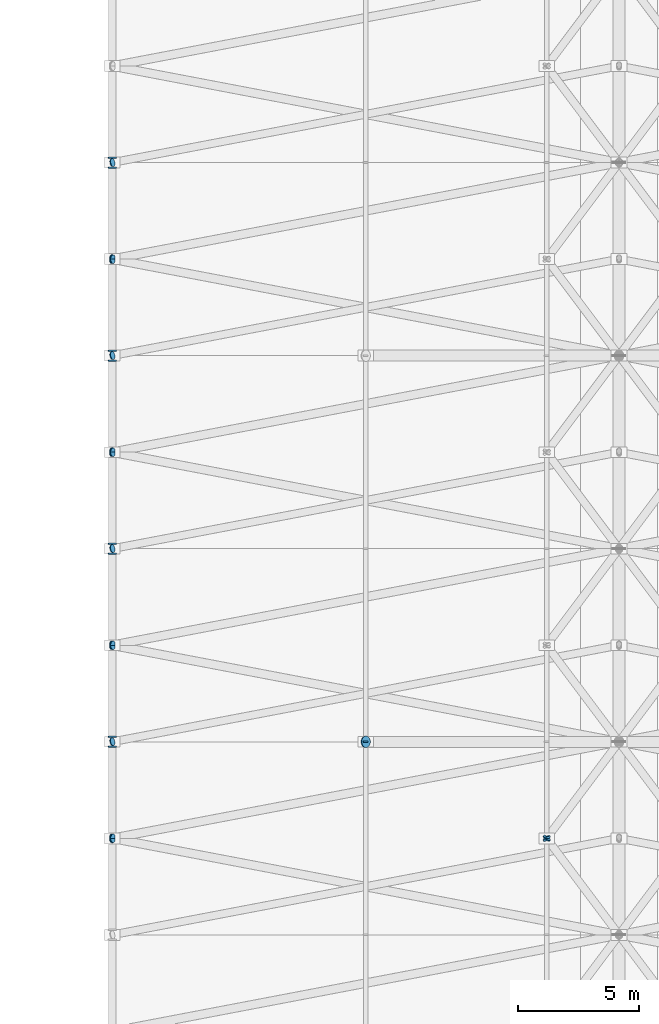
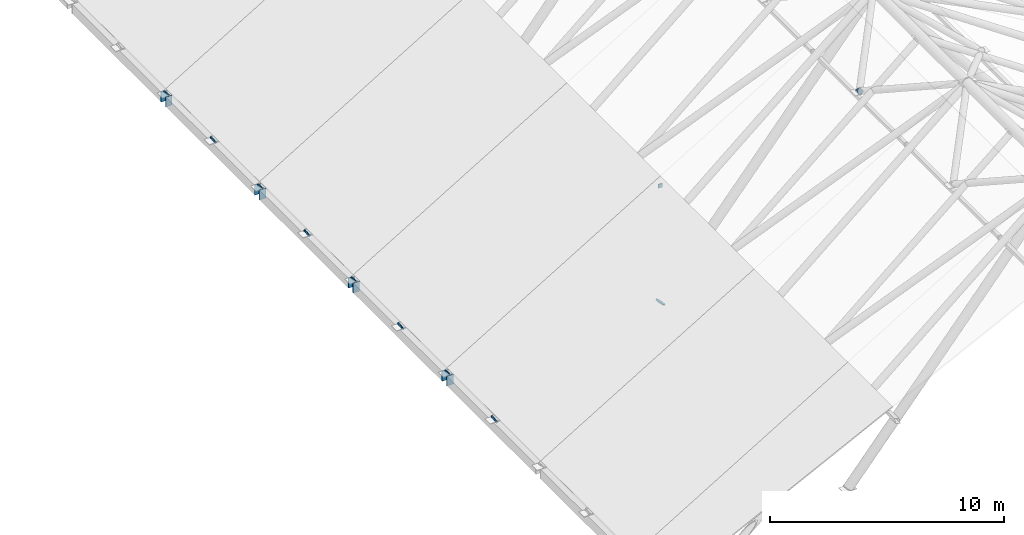
# One storey, part 31 of 44: 25 discrete accessories.
"""IFC4 building model written with IfcOpenShell, lengths in metres."""

from ifc_helpers import new_model, si_unit, direction, frame, origin, origin_2d, place, context, subcontext, project, spatial, rectangle, circle, extrude, material, element, save


model = new_model("IFC4")

# Units and contexts
model_context = context("Model", 3, precision=1e-05, world=origin(), true_north=direction((0.0, 1.0)))
body_context = subcontext(model_context, "Body", "Model", "MODEL_VIEW")
ifc_project = project(units=[si_unit("LENGTHUNIT", "METRE"), si_unit("AREAUNIT", "SQUARE_METRE"), si_unit("VOLUMEUNIT", "CUBIC_METRE"), si_unit("PLANEANGLEUNIT", "RADIAN"), si_unit("MASSUNIT", "GRAM", prefix="KILO")], contexts=[model_context])

# Site, building, storey
site_placement = place(None, origin())
site = spatial("IfcSite", under=ifc_project, at=site_placement, CompositionType="ELEMENT")
building_placement = place(site_placement, origin())
building = spatial("IfcBuilding", under=site, at=building_placement, Name="Marlcrest Central Station", CompositionType="ELEMENT")
storey_placement = place(building_placement, frame((0.0, 0.0, 19.5)))
storey = spatial("IfcBuildingStorey", under=building, at=storey_placement, Name="L04", CompositionType="ELEMENT", Elevation=19.5)

# Discrete accessories
ifc_material = material(Name="Steel S355", Category="steel")
discrete_accessory_1_placement = place(storey_placement, frame((97.490478515625, 70.5, -0.011474609375), z_axis=(0.640181471429, 0.0, 0.768223719784), x_axis=(0.0, 1.0, 0.0)))
element("IfcDiscreteAccessory", 1, at=discrete_accessory_1_placement, inside=storey, material=ifc_material, Name="endcap-mem-ST-01-L04-02372-s", ObjectType="END_CAP_PLATE", PredefinedType="BRACKET", context=body_context, shape_type="SweptSolid", body=[
    extrude(circle(Radius=0.236572265625, at=origin_2d()), origin(), (0.0, 0.0, 1.0), 0.0400390625),
])
for number, where, z_axis, x_axis, name in (
    (2, (87.0, 70.275146484375, -0.25), (0.0, 1.0, 0.0), (-1.0, 0.0, 0.0), "endcap-bm-SP-03-L04-01275-e"),
    (3, (87.0, 70.68505859375, -0.25), (0.0, 1.0, 0.0), (-1.0, 0.0, 0.0), "endcap-bm-SP-03-L04-01279-s"),
    (4, (87.0, 78.275146484375, -0.25), (0.0, 1.0, 0.0), (-1.0, 0.0, 0.0), "endcap-bm-SP-03-L04-01279-e"),
    (5, (87.0, 78.68505859375, -0.25), (0.0, 1.0, 0.0), (-1.0, 0.0, 0.0), "endcap-bm-SP-03-L04-01289-s"),
    (6, (87.0, 86.275146484375, -0.25), (0.0, 1.0, 0.0), (-1.0, 0.0, 0.0), "endcap-bm-SP-03-L04-01289-e"),
    (7, (87.0, 86.68505859375, -0.25), (0.0, 1.0, 0.0), (-1.0, 0.0, 0.0), "endcap-bm-SP-03-L04-01293-s"),
    (8, (87.0, 94.275146484375, -0.25), (0.0, 1.0, 0.0), (-1.0, 0.0, 0.0), "endcap-bm-SP-03-L04-01293-e"),
    (9, (87.0, 94.68505859375, -0.25), (0.0, 1.0, 0.0), (-1.0, 0.0, 0.0), "endcap-bm-SP-03-L04-01299-s"),
):
    element("IfcDiscreteAccessory", number, at=place(storey_placement, frame(where, z_axis=z_axis, x_axis=x_axis)), inside=storey, material=ifc_material, Name=name, ObjectType="END_CAP_PLATE", PredefinedType="BRACKET", context=body_context, shape_type="SweptSolid", body=[
        extrude(rectangle(XDim=0.31591796875, YDim=0.51611328125, at=origin_2d()), origin(), (0.0, 0.0, 1.0), 0.0400390625),
    ])
for number, where, z_axis, x_axis, name in (
    (10, (105.01416015625, 66.481201171875, 10.80859375), (-0.564530690126, 0.752707586834, -0.338727602401), (-0.8, -0.6, 0.0), "endcap-mem-FB-02-L04-02457-e"),
    (11, (105.01416015625, 66.518798828125, 10.80859375), (-0.564530690126, -0.752707586834, -0.338727602401), (0.8, -0.6, 0.0), "endcap-mem-FB-02-L04-02458-e"),
):
    element("IfcDiscreteAccessory", number, at=place(storey_placement, frame(where, z_axis=z_axis, x_axis=x_axis)), inside=storey, material=ifc_material, Name=name, ObjectType="END_CAP_PLATE", PredefinedType="BRACKET", context=body_context, shape_type="SweptSolid", body=[
        extrude(circle(Radius=0.169921875, at=origin_2d()), origin(), (0.0, 0.0, 1.0), 0.0400390625),
    ])
for number, where, z_axis, x_axis, name in (
    (12, (87.021240234375, 66.495849609375, 0.0126953125), (-0.846277296716, 0.161195675565, -0.507770313471), (-0.18711210789, -0.982338566422, 0.0), "endcap-mem-FB-01-L04-02462-e"),
    (13, (87.021240234375, 66.504150390625, 0.0126953125), (-0.846277296716, -0.161195675565, -0.507770313471), (0.18711210789, -0.982338566422, 0.0), "endcap-mem-FB-01-L04-02463-e"),
):
    element("IfcDiscreteAccessory", number, at=place(storey_placement, frame(where, z_axis=z_axis, x_axis=x_axis)), inside=storey, material=ifc_material, Name=name, ObjectType="END_CAP_PLATE", PredefinedType="BRACKET", context=body_context, shape_type="SweptSolid", body=[
        extrude(circle(Radius=0.185791015625, at=origin_2d()), origin(), (0.0, 0.0, 1.0), 0.0400390625),
    ])
discrete_accessory_2_placement = place(storey_placement, frame((97.5, 70.47509765625, 6.080078125), z_axis=(0.0, 1.0, 0.0), x_axis=(-1.0, 0.0, 0.0)))
element("IfcDiscreteAccessory", 14, at=discrete_accessory_2_placement, inside=storey, material=ifc_material, Name="endcap-mem-PR-03-L04-02465-e", ObjectType="END_CAP_PLATE", PredefinedType="BRACKET", context=body_context, shape_type="SweptSolid", body=[
    extrude(rectangle(XDim=0.196044921875, YDim=0.196044921875, at=origin_2d()), origin(), (0.0, 0.0, 1.0), 0.0400390625),
])
for number, where, z_axis, x_axis, name in (
    (15, (87.021240234375, 74.495849609375, 0.0126953125), (-0.846277296716, 0.161195675565, -0.507770313471), (-0.18711210789, -0.982338566422, 0.0), "endcap-mem-FB-01-L04-02477-e"),
    (16, (87.021240234375, 74.504150390625, 0.0126953125), (-0.846277296716, -0.161195675565, -0.507770313471), (0.18711210789, -0.982338566422, 0.0), "endcap-mem-FB-01-L04-02478-e"),
):
    element("IfcDiscreteAccessory", number, at=place(storey_placement, frame(where, z_axis=z_axis, x_axis=x_axis)), inside=storey, material=ifc_material, Name=name, ObjectType="END_CAP_PLATE", PredefinedType="BRACKET", context=body_context, shape_type="SweptSolid", body=[
        extrude(circle(Radius=0.185791015625, at=origin_2d()), origin(), (0.0, 0.0, 1.0), 0.0400390625),
    ])
discrete_accessory_3_placement = place(storey_placement, frame((87.021240234375, 70.504150390625, 0.0126953125), z_axis=(-0.846277296716, -0.161195675565, -0.507770313471), x_axis=(0.18711210789, -0.982338566422, 0.0)))
element("IfcDiscreteAccessory", 17, at=discrete_accessory_3_placement, inside=storey, material=ifc_material, Name="endcap-mem-FB-02-L04-02479-e", ObjectType="END_CAP_PLATE", PredefinedType="BRACKET", context=body_context, shape_type="SweptSolid", body=[
    extrude(circle(Radius=0.169921875, at=origin_2d()), origin(), (0.0, 0.0, 1.0), 0.0400390625),
])
discrete_accessory_4_placement = place(storey_placement, frame((97.5, 70.485107421875, 6.080078125), z_axis=(0.0, 1.0, 0.0), x_axis=(-1.0, 0.0, 0.0)))
element("IfcDiscreteAccessory", 18, at=discrete_accessory_4_placement, inside=storey, material=ifc_material, Name="endcap-mem-PR-03-L04-02480-s", ObjectType="END_CAP_PLATE", PredefinedType="BRACKET", context=body_context, shape_type="SweptSolid", body=[
    extrude(rectangle(XDim=0.196044921875, YDim=0.196044921875, at=origin_2d()), origin(), (0.0, 0.0, 1.0), 0.0400390625),
])
for number, where, z_axis, x_axis, name in (
    (19, (87.021240234375, 82.495849609375, 0.0126953125), (-0.846277296716, 0.161195675565, -0.507770313471), (-0.18711210789, -0.982338566422, 0.0), "endcap-mem-FB-01-L04-02492-e"),
    (20, (87.021240234375, 82.504150390625, 0.0126953125), (-0.846277296716, -0.161195675565, -0.507770313471), (0.18711210789, -0.982338566422, 0.0), "endcap-mem-FB-01-L04-02493-e"),
):
    element("IfcDiscreteAccessory", number, at=place(storey_placement, frame(where, z_axis=z_axis, x_axis=x_axis)), inside=storey, material=ifc_material, Name=name, ObjectType="END_CAP_PLATE", PredefinedType="BRACKET", context=body_context, shape_type="SweptSolid", body=[
        extrude(circle(Radius=0.185791015625, at=origin_2d()), origin(), (0.0, 0.0, 1.0), 0.0400390625),
    ])
discrete_accessory_5_placement = place(storey_placement, frame((87.021240234375, 78.504150390625, 0.0126953125), z_axis=(-0.846277296716, -0.161195675565, -0.507770313471), x_axis=(0.18711210789, -0.982338566422, 0.0)))
element("IfcDiscreteAccessory", 21, at=discrete_accessory_5_placement, inside=storey, material=ifc_material, Name="endcap-mem-FB-02-L04-02494-e", ObjectType="END_CAP_PLATE", PredefinedType="BRACKET", context=body_context, shape_type="SweptSolid", body=[
    extrude(circle(Radius=0.169921875, at=origin_2d()), origin(), (0.0, 0.0, 1.0), 0.0400390625),
])
for number, where, z_axis, x_axis, name in (
    (22, (87.021240234375, 90.495849609375, 0.0126953125), (-0.846277296716, 0.161195675565, -0.507770313471), (-0.18711210789, -0.982338566422, 0.0), "endcap-mem-FB-01-L04-02507-e"),
    (23, (87.021240234375, 90.504150390625, 0.0126953125), (-0.846277296716, -0.161195675565, -0.507770313471), (0.18711210789, -0.982338566422, 0.0), "endcap-mem-FB-01-L04-02508-e"),
):
    element("IfcDiscreteAccessory", number, at=place(storey_placement, frame(where, z_axis=z_axis, x_axis=x_axis)), inside=storey, material=ifc_material, Name=name, ObjectType="END_CAP_PLATE", PredefinedType="BRACKET", context=body_context, shape_type="SweptSolid", body=[
        extrude(circle(Radius=0.185791015625, at=origin_2d()), origin(), (0.0, 0.0, 1.0), 0.0400390625),
    ])
for number, where, z_axis, x_axis, name in (
    (24, (87.021240234375, 86.504150390625, 0.0126953125), (-0.846277296716, -0.161195675565, -0.507770313471), (0.18711210789, -0.982338566422, 0.0), "endcap-mem-FB-02-L04-02509-e"),
    (25, (87.021240234375, 94.504150390625, 0.0126953125), (-0.846277296716, -0.161195675565, -0.507770313471), (0.18711210789, -0.982338566422, 0.0), "endcap-mem-FB-02-L04-02524-e"),
):
    element("IfcDiscreteAccessory", number, at=place(storey_placement, frame(where, z_axis=z_axis, x_axis=x_axis)), inside=storey, material=ifc_material, Name=name, ObjectType="END_CAP_PLATE", PredefinedType="BRACKET", context=body_context, shape_type="SweptSolid", body=[
        extrude(circle(Radius=0.169921875, at=origin_2d()), origin(), (0.0, 0.0, 1.0), 0.0400390625),
    ])

save(model, "model.ifc")
